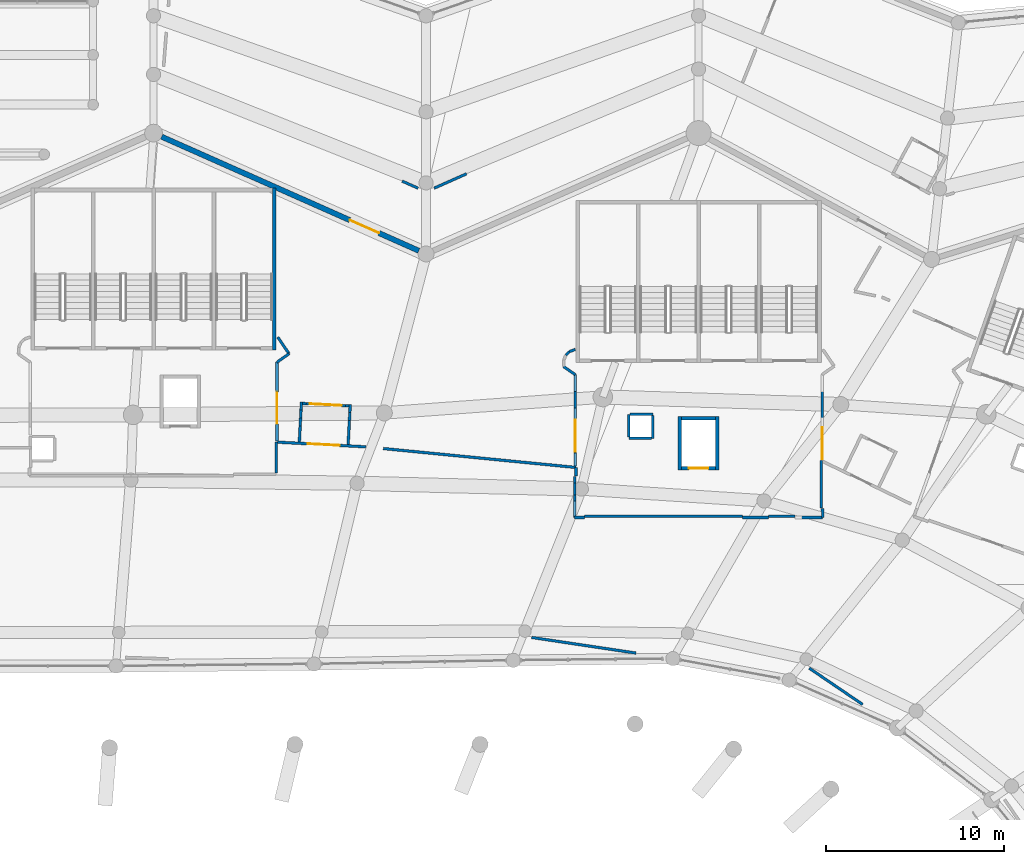
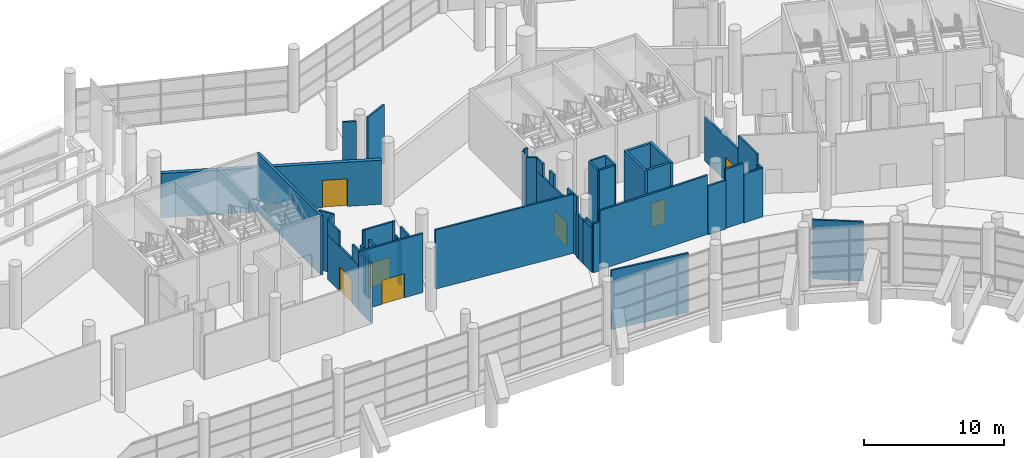
# One storey, part 196 of 271: 52 walls, 7 doors, 7 openings.
"""IFC4 building model written with IfcOpenShell, lengths in metres."""

from ifc_helpers import new_model, si_unit, direction, frame, frame_2d, origin, place, context, subcontext, project, spatial, rectangle, extrude, material, layer, layer_set, type_object, element, fill, save


model = new_model("IFC4")

# Units and contexts
model_context = context("Model", 3, precision=1e-05, world=origin(), true_north=direction((0.0, 1.0)))
body_context = subcontext(model_context, "Body", "Model", "MODEL_VIEW")
ifc_project = project(units=[si_unit("LENGTHUNIT", "METRE"), si_unit("AREAUNIT", "SQUARE_METRE"), si_unit("VOLUMEUNIT", "CUBIC_METRE"), si_unit("PLANEANGLEUNIT", "RADIAN"), si_unit("MASSUNIT", "GRAM", prefix="KILO")], contexts=[model_context])

# Site, building, storey
site_placement = place(None, origin())
site = spatial("IfcSite", under=ifc_project, at=site_placement, CompositionType="ELEMENT")
building_placement = place(site_placement, origin())
building = spatial("IfcBuilding", under=site, at=building_placement, Name="Meseta Stadium", CompositionType="ELEMENT")
storey_placement = place(building_placement, frame((0.0, 0.0, 6.5)))
storey = spatial("IfcBuildingStorey", under=building, at=storey_placement, Name="L01", CompositionType="ELEMENT", Elevation=6.5)

# Walls
ifc_material_1 = material(Name="Concrete C40/50", Category="concrete")
ifc_layer_1 = layer(ifc_material_1, 0.199951171875)
ifc_layer_set_1 = layer_set([ifc_layer_1], Name="Core shaft wall 200")
wall_type_1 = type_object("IfcWallType", Name="Core shaft wall 200", PredefinedType="SHEAR", material=ifc_layer_set_1)
for number, where, z_axis, x_axis, name in (
    (1, (39.38330078125, 89.451171875, 0.0), (0.0, 0.0, 1.0), (0.0, -1.0, 0.0), "Core 09 L01 lift shaft wall left"),
    (2, (37.283203125, 89.451171875, 0.0), (0.0, 0.0, 1.0), (0.0, -1.0, 0.0), "Core 09 L01 lift shaft wall right"),
):
    element("IfcWall", number, at=place(storey_placement, frame(where, z_axis=z_axis, x_axis=x_axis)), inside=storey, type_object=wall_type_1, Name=name, PredefinedType="SHEAR", context=body_context, shape_type="SweptSolid", body=[
        extrude(rectangle(XDim=3.0, YDim=0.199951171875, at=frame_2d((1.5, 0.0))), origin(), (0.0, 0.0, 1.0), 5.14990234375),
    ])
wall_1_placement = place(storey_placement, frame((39.283203125, 89.35107421875, 0.0), z_axis=(0.0, 0.0, 1.0), x_axis=(-1.0, 0.0, 0.0)))
element("IfcWall", 3, at=wall_1_placement, inside=storey, type_object=wall_type_1, Name="Core 09 L01 lift shaft back wall", PredefinedType="SHEAR", context=body_context, shape_type="SweptSolid", body=[
    extrude(rectangle(XDim=1.89990234375, YDim=0.199951171875, at=frame_2d((0.949951171875, 0.0))), origin(), (0.0, 0.0, 1.0), 5.14990234375),
])

# Wall, opening, door
wall_2_placement = place(storey_placement, frame((39.283203125, 86.551025390625, 0.0), z_axis=(0.0, 0.0, 1.0), x_axis=(-1.0, 0.0, 0.0)))
wall_2 = element("IfcWall", 4, at=wall_2_placement, inside=storey, type_object=wall_type_1, Name="Core 09 L01 lift shaft front wall", PredefinedType="SHEAR", context=body_context, shape_type="SweptSolid", body=[
    extrude(rectangle(XDim=1.89990234375, YDim=0.199951171875, at=frame_2d((0.949951171875, 0.0))), origin(), (0.0, 0.0, 1.0), 5.14990234375),
])
opening_1_placement = place(wall_2_placement, frame((0.39990234375, 0.0, 0.0)))
opening_1 = element("IfcOpeningElement", 5, at=opening_1_placement, cuts=wall_2, Name="Opening LD49", PredefinedType="OPENING", context=body_context, shape_type="SweptSolid", body=[
    extrude(rectangle(XDim=1.10009765625, YDim=2.10009765625, at=frame_2d((0.550048828125, 1.050048828125))), frame((0.0, 0.10986328125, 0.0), z_axis=(0.0, -1.0, 0.0), x_axis=(1.0, 0.0, 0.0)), (0.0, 0.0, 1.0), 0.219970703125),
])
ifc_material_2 = material(Name="Steel", Category="steel")
door_type_1 = type_object("IfcDoorType", Name="Lift landing door 1100x2100", OperationType="SLIDING_TO_LEFT", PredefinedType="DOOR", material=ifc_material_2)
door_1_placement = place(opening_1_placement, origin())
door_1 = element("IfcDoor", 6, at=door_1_placement, inside=storey, type_object=door_type_1, Name="Lift landing door LD49", OperationType="SLIDING_TO_LEFT", OverallHeight=2.10009765625, OverallWidth=1.10009765625, PredefinedType="DOOR", context=body_context, shape_type="SweptSolid", body=[
    extrude(rectangle(XDim=1.10009765625, YDim=2.10009765625, at=frame_2d((0.550048828125, 1.050048828125))), frame((0.0, 0.02490234375, 0.0), z_axis=(0.0, -1.0, 0.0), x_axis=(1.0, 0.0, 0.0)), (0.0, 0.0, 1.0), 0.050048828125),
])
fill(opening_1, door_1)

# Walls
wall_3_placement = place(storey_placement, frame((14.466796875, 102.300048828125, 0.0), z_axis=(0.0, 0.0, 1.0), x_axis=(0.0, -1.0, 0.0)))
element("IfcWall", 7, at=wall_3_placement, inside=storey, type_object=wall_type_1, Name="Core 10 L01 stair wall A-side", PredefinedType="SHEAR", context=body_context, shape_type="SweptSolid", body=[
    extrude(rectangle(XDim=9.10009765625, YDim=0.199951171875, at=frame_2d((4.550048828125, 0.0))), origin(), (0.0, 0.0, 1.0), 5.14990234375),
])
ifc_material_3 = material(Name="Masonry blockwork", Category="masonry")
ifc_layer_2 = layer(ifc_material_3, 0.14990234375)
ifc_layer_set_2 = layer_set([ifc_layer_2], Name="Partition 150")
wall_type_2 = type_object("IfcWallType", Name="Partition 150", PredefinedType="PARTITIONING", material=ifc_layer_set_2)
wall_4_placement = place(storey_placement, frame((47.5634765625, 73.25341796875, 0.0), z_axis=(0.0, 0.0, 1.0), x_axis=(-0.827001497717, 0.562199717871, 0.0)))
element("IfcWall", 8, at=wall_4_placement, inside=storey, type_object=wall_type_2, Name="Partition L01 L01-cell06-0-0", PredefinedType="PARTITIONING", context=body_context, shape_type="SweptSolid", body=[
    extrude(rectangle(XDim=3.632568359375, YDim=0.14990234375, at=frame_2d((1.81640625, 0.0))), origin(), (0.0, 0.0, 1.0), 5.14990234375),
])
wall_5_placement = place(storey_placement, frame((34.811279296875, 76.14453125, 0.0), z_axis=(0.0, 0.0, 1.0), x_axis=(-0.988914922208, 0.148483253719, 0.0)))
element("IfcWall", 9, at=wall_5_placement, inside=storey, type_object=wall_type_2, Name="Partition L01 L01-cell07-0-0", PredefinedType="PARTITIONING", context=body_context, shape_type="SweptSolid", body=[
    extrude(rectangle(XDim=5.935791015625, YDim=0.14990234375, at=frame_2d((2.9677734375, 0.0))), origin(), (0.0, 0.0, 1.0), 5.14990234375),
])
wall_6_placement = place(storey_placement, frame((31.92626953125, 83.85107421875, 0.0), z_axis=(0.0, 0.0, 1.0), x_axis=(1.0, 0.0, 0.0)))
element("IfcWall", 10, at=wall_6_placement, inside=storey, type_object=wall_type_2, Name="Partition L01 L01-cell07-0-0", PredefinedType="PARTITIONING", context=body_context, shape_type="SweptSolid", body=[
    extrude(rectangle(XDim=8.871337890625, YDim=0.14990234375, at=frame_2d((4.435546875, 0.0))), origin(), (0.0, 0.0, 1.0), 5.14990234375),
])
wall_7_placement = place(storey_placement, frame((42.276123046875, 83.85107421875, 0.0), z_axis=(0.0, 0.0, 1.0), x_axis=(1.0, 0.0, 0.0)))
element("IfcWall", 11, at=wall_7_placement, inside=storey, type_object=wall_type_2, Name="Partition L01 L01-cell07-0-0", PredefinedType="PARTITIONING", context=body_context, shape_type="SweptSolid", body=[
    extrude(rectangle(XDim=1.478759765625, YDim=0.14990234375, at=frame_2d((0.7392578125, 0.0))), origin(), (0.0, 0.0, 1.0), 5.14990234375),
])
wall_8_placement = place(storey_placement, frame((45.2333984375, 84.29638671875, 0.0), z_axis=(0.0, 0.0, 1.0), x_axis=(0.0, 1.0, 0.0)))
element("IfcWall", 12, at=wall_8_placement, inside=storey, type_object=wall_type_2, Name="Partition L01 L01-cell07-0-0", PredefinedType="PARTITIONING", context=body_context, shape_type="SweptSolid", body=[
    extrude(rectangle(XDim=2.671142578125, YDim=0.14990234375, at=frame_2d((1.33544921875, 0.0))), origin(), (0.0, 0.0, 1.0), 5.14990234375),
])
wall_9_placement = place(storey_placement, frame((14.566650390625, 86.27490234375, 0.0), z_axis=(0.0, 0.0, 1.0), x_axis=(0.0, 1.0, 0.0)))
element("IfcWall", 13, at=wall_9_placement, inside=storey, type_object=wall_type_2, Name="Partition L01 L01-cell08-0-0", PredefinedType="PARTITIONING", context=body_context, shape_type="SweptSolid", body=[
    extrude(rectangle(XDim=1.740966796875, YDim=0.14990234375, at=frame_2d((0.87060546875, 0.0))), origin(), (0.0, 0.0, 1.0), 5.14990234375),
])

# Wall, opening, door
wall_10_placement = place(storey_placement, frame((14.6416015625, 88.01171875, 0.0), z_axis=(0.0, 0.0, 1.0), x_axis=(0.998613893233, -0.052633565738, 0.0)))
wall_10 = element("IfcWall", 14, at=wall_10_placement, inside=storey, type_object=wall_type_2, Name="Partition L01 L01-cell08-0-0", PredefinedType="PARTITIONING", context=body_context, shape_type="SweptSolid", body=[
    extrude(rectangle(XDim=4.972412109375, YDim=0.14990234375, at=frame_2d((2.486328125, 0.0))), origin(), (0.0, 0.0, 1.0), 5.14990234375),
])
opening_2_placement = place(wall_10_placement, frame((1.699951171875, 0.0, 0.0)))
opening_2 = element("IfcOpeningElement", 15, at=opening_2_placement, cuts=wall_10, Name="Opening D650", PredefinedType="OPENING", context=body_context, shape_type="SweptSolid", body=[
    extrude(rectangle(XDim=1.800048828125, YDim=2.10009765625, at=frame_2d((0.89990234375, 1.050048828125))), frame((0.0, 0.0849609375, 0.0), z_axis=(0.0, -1.0, 0.0), x_axis=(1.0, 0.0, 0.0)), (0.0, 0.0, 1.0), 0.169921875),
])
ifc_material_4 = material(Name="Steel", Category="steel")
door_type_2 = type_object("IfcDoorType", Name="Fire double door 1800x2100 EI2 60", OperationType="DOUBLE_DOOR_SINGLE_SWING", PredefinedType="DOOR", material=ifc_material_4)
door_2_placement = place(opening_2_placement, origin())
door_2 = element("IfcDoor", 16, at=door_2_placement, inside=storey, type_object=door_type_2, Name="Door D650", OperationType="DOUBLE_DOOR_SINGLE_SWING", OverallHeight=2.10009765625, OverallWidth=1.800048828125, PredefinedType="DOOR", context=body_context, shape_type="SweptSolid", body=[
    extrude(rectangle(XDim=1.800048828125, YDim=2.10009765625, at=frame_2d((0.89990234375, 1.050048828125))), frame((0.0, 0.02490234375, 0.0), z_axis=(0.0, -1.0, 0.0), x_axis=(1.0, 0.0, 0.0)), (0.0, 0.0, 1.0), 0.050048828125),
])
fill(opening_2, door_2)

# Walls
wall_11_placement = place(storey_placement, frame((20.5927734375, 87.6533203125, 0.0), z_axis=(0.0, 0.0, 1.0), x_axis=(0.995211610703, -0.097743797362, 0.0)))
element("IfcWall", 17, at=wall_11_placement, inside=storey, type_object=wall_type_2, Name="Partition L01 L01-cell08-0-0", PredefinedType="PARTITIONING", context=body_context, shape_type="SweptSolid", body=[
    extrude(rectangle(XDim=10.892822265625, YDim=0.14990234375, at=frame_2d((5.4462890625, 0.0))), origin(), (0.0, 0.0, 1.0), 5.14990234375),
])
wall_12_placement = place(storey_placement, frame((31.433349609375, 86.588623046875, 0.0), z_axis=(0.0, 0.0, 1.0), x_axis=(0.0, -1.0, 0.0)))
element("IfcWall", 18, at=wall_12_placement, inside=storey, type_object=wall_type_2, Name="Partition L01 L01-cell08-0-0", PredefinedType="PARTITIONING", context=body_context, shape_type="SweptSolid", body=[
    extrude(rectangle(XDim=0.48974609375, YDim=0.14990234375, at=frame_2d((0.244873046875, 0.0))), origin(), (0.0, 0.0, 1.0), 5.14990234375),
])
wall_13_placement = place(storey_placement, frame((25.275634765625, 103.10986328125, 0.0), z_axis=(0.0, 0.0, 1.0), x_axis=(-0.914139836341, -0.405399012844, 0.0)))
element("IfcWall", 19, at=wall_13_placement, inside=storey, type_object=wall_type_2, Name="Partition L01 L01-ring08-0", PredefinedType="PARTITIONING", context=body_context, shape_type="SweptSolid", body=[
    extrude(rectangle(XDim=1.991455078125, YDim=0.14990234375, at=frame_2d((0.99560546875, 0.0))), origin(), (0.0, 0.0, 1.0), 5.050048828125),
])
wall_14_placement = place(storey_placement, frame((22.551513671875, 102.299560546875, 0.0), z_axis=(0.0, 0.0, 1.0), x_axis=(-0.914119005748, 0.405445980781, 0.0)))
element("IfcWall", 20, at=wall_14_placement, inside=storey, type_object=wall_type_2, Name="Partition L01 L01-ring08-0", PredefinedType="PARTITIONING", context=body_context, shape_type="SweptSolid", body=[
    extrude(rectangle(XDim=0.9814453125, YDim=0.14990234375, at=frame_2d((0.49072265625, 0.0))), origin(), (0.0, 0.0, 1.0), 5.050048828125),
])
wall_15_placement = place(storey_placement, frame((35.75830078125, 89.576171875, 0.0), z_axis=(0.0, 0.0, 1.0), x_axis=(-1.0, 0.0, 0.0)))
element("IfcWall", 21, at=wall_15_placement, inside=storey, type_object=wall_type_2, Name="Pressurisation shaft wall L01 core 09", PredefinedType="PARTITIONING", context=body_context, shape_type="SweptSolid", body=[
    extrude(rectangle(XDim=1.27490234375, YDim=0.14990234375, at=frame_2d((0.637451171875, 0.0))), origin(), (0.0, 0.0, 1.0), 5.14990234375),
])
for number, where, z_axis, x_axis, name in (
    (22, (34.408203125, 89.576171875, 0.0), (0.0, 0.0, 1.0), (0.0, -1.0, 0.0), "Pressurisation shaft wall L01 core 09"),
    (23, (34.408203125, 88.22607421875, 0.0), (0.0, 0.0, 1.0), (1.0, 0.0, 0.0), "Pressurisation shaft wall L01 core 09"),
    (24, (35.75830078125, 88.22607421875, 0.0), (0.0, 0.0, 1.0), (0.0, 1.0, 0.0), "Pressurisation shaft wall L01 core 09"),
):
    element("IfcWall", number, at=place(storey_placement, frame(where, z_axis=z_axis, x_axis=x_axis)), inside=storey, type_object=wall_type_2, Name=name, PredefinedType="PARTITIONING", context=body_context, shape_type="SweptSolid", body=[
        extrude(rectangle(XDim=1.275146484375, YDim=0.14990234375, at=frame_2d((0.6376953125, 0.0))), origin(), (0.0, 0.0, 1.0), 5.14990234375),
    ])
wall_16_placement = place(storey_placement, frame((31.394775390625, 93.228759765625, 0.0), z_axis=(0.0, 0.0, 1.0), x_axis=(-0.937674325327, -0.347515265308, 0.0)))
element("IfcWall", 25, at=wall_16_placement, inside=storey, type_object=wall_type_2, Name="Stair vestibule wall L01 core 09", PredefinedType="PARTITIONING", context=body_context, shape_type="SweptSolid", body=[
    extrude(rectangle(XDim=0.356201171875, YDim=0.14990234375, at=frame_2d((0.17822265625, 0.0))), origin(), (0.0, 0.0, 1.0), 5.14990234375),
])
wall_17_placement = place(storey_placement, frame((31.060791015625, 93.10498046875, 0.0), z_axis=(0.0, 0.0, 1.0), x_axis=(-0.707534941396, -0.706678361564, 0.0)))
element("IfcWall", 26, at=wall_17_placement, inside=storey, type_object=wall_type_2, Name="Stair vestibule wall L01 core 09", PredefinedType="PARTITIONING", context=body_context, shape_type="SweptSolid", body=[
    extrude(rectangle(XDim=0.284912109375, YDim=0.14990234375, at=frame_2d((0.142578125, 0.0))), origin(), (0.0, 0.0, 1.0), 5.14990234375),
])
wall_18_placement = place(storey_placement, frame((30.73681640625, 92.267822265625, 0.0), z_axis=(0.0, 0.0, 1.0), x_axis=(0.817731616096, -0.57559969079, 0.0)))
element("IfcWall", 27, at=wall_18_placement, inside=storey, type_object=wall_type_2, Name="Stair vestibule wall L01 core 09", PredefinedType="PARTITIONING", context=body_context, shape_type="SweptSolid", body=[
    extrude(rectangle(XDim=0.796630859375, YDim=0.14990234375, at=frame_2d((0.3984375, 0.0))), origin(), (0.0, 0.0, 1.0), 5.14990234375),
])

# Wall, opening, door
wall_19_placement = place(storey_placement, frame((31.38818359375, 91.809326171875, 0.0), z_axis=(0.0, 0.0, 1.0), x_axis=(0.0, -1.0, 0.0)))
wall_19 = element("IfcWall", 28, at=wall_19_placement, inside=storey, type_object=wall_type_2, Name="Stair vestibule wall L01 core 09", PredefinedType="PARTITIONING", context=body_context, shape_type="SweptSolid", body=[
    extrude(rectangle(XDim=5.132568359375, YDim=0.14990234375, at=frame_2d((2.56640625, 0.0))), origin(), (0.0, 0.0, 1.0), 4.050048828125),
])
opening_3_placement = place(wall_19_placement, frame((2.550048828125, 0.0, 0.0)))
opening_3 = element("IfcOpeningElement", 29, at=opening_3_placement, cuts=wall_19, Name="Opening D767", PredefinedType="OPENING", context=body_context, shape_type="SweptSolid", body=[
    extrude(rectangle(XDim=1.800048828125, YDim=2.10009765625, at=frame_2d((0.89990234375, 1.050048828125))), frame((0.0, 0.0849609375, 0.0), z_axis=(0.0, -1.0, 0.0), x_axis=(1.0, 0.0, 0.0)), (0.0, 0.0, 1.0), 0.169921875),
])
door_3_placement = place(opening_3_placement, origin())
door_3 = element("IfcDoor", 30, at=door_3_placement, inside=storey, type_object=door_type_2, Name="Stair vestibule door L01 core 09", OperationType="DOUBLE_DOOR_SINGLE_SWING", OverallHeight=2.10009765625, OverallWidth=1.800048828125, PredefinedType="DOOR", context=body_context, shape_type="SweptSolid", body=[
    extrude(rectangle(XDim=1.800048828125, YDim=2.10009765625, at=frame_2d((0.89990234375, 1.050048828125))), frame((0.0, 0.02490234375, 0.0), z_axis=(0.0, -1.0, 0.0), x_axis=(1.0, 0.0, 0.0)), (0.0, 0.0, 1.0), 0.050048828125),
])
fill(opening_3, door_3)

# Walls
wall_20_placement = place(storey_placement, frame((31.38818359375, 91.809326171875, 4.050048828125), z_axis=(0.0, 0.0, 1.0), x_axis=(0.0, -1.0, 0.0)))
element("IfcWall", 31, at=wall_20_placement, inside=storey, type_object=wall_type_2, Name="Stair vestibule wall L01 core 09", PredefinedType="PARTITIONING", context=body_context, shape_type="SweptSolid", body=[
    extrude(rectangle(XDim=0.934814453125, YDim=0.14990234375, at=frame_2d((0.46728515625, 0.0))), origin(), (0.0, 0.0, 1.0), 1.099853515625),
])
wall_21_placement = place(storey_placement, frame((31.38818359375, 87.4091796875, 4.050048828125), z_axis=(0.0, 0.0, 1.0), x_axis=(0.0, -1.0, 0.0)))
element("IfcWall", 32, at=wall_21_placement, inside=storey, type_object=wall_type_2, Name="Stair vestibule wall L01 core 09", PredefinedType="PARTITIONING", context=body_context, shape_type="SweptSolid", body=[
    extrude(rectangle(XDim=0.732421875, YDim=0.14990234375, at=frame_2d((0.3662109375, 0.0))), origin(), (0.0, 0.0, 1.0), 1.099853515625),
])
wall_22_placement = place(storey_placement, frame((31.3583984375, 86.0888671875, 0.0), z_axis=(0.0, 0.0, 1.0), x_axis=(0.0, -1.0, 0.0)))
element("IfcWall", 33, at=wall_22_placement, inside=storey, type_object=wall_type_2, Name="Stair vestibule wall L01 core 09", PredefinedType="PARTITIONING", context=body_context, shape_type="SweptSolid", body=[
    extrude(rectangle(XDim=0.379638671875, YDim=0.14990234375, at=frame_2d((0.18994140625, 0.0))), origin(), (0.0, 0.0, 1.0), 3.85009765625),
])
wall_23_placement = place(storey_placement, frame((31.3583984375, 85.044189453125, 0.0), z_axis=(0.0, 0.0, 1.0), x_axis=(0.0, -1.0, 0.0)))
element("IfcWall", 34, at=wall_23_placement, inside=storey, type_object=wall_type_2, Name="Stair vestibule wall L01 core 09", PredefinedType="PARTITIONING", context=body_context, shape_type="SweptSolid", body=[
    extrude(rectangle(XDim=1.26806640625, YDim=0.14990234375, at=frame_2d((0.634033203125, 0.0))), origin(), (0.0, 0.0, 1.0), 3.85009765625),
])
wall_24_placement = place(storey_placement, frame((31.3583984375, 84.701171875, 3.85009765625), z_axis=(0.0, 0.0, 1.0), x_axis=(0.0, -1.0, 0.0)))
element("IfcWall", 35, at=wall_24_placement, inside=storey, type_object=wall_type_2, Name="Stair vestibule wall L01 core 09", PredefinedType="PARTITIONING", context=body_context, shape_type="SweptSolid", body=[
    extrude(rectangle(XDim=0.925048828125, YDim=0.14990234375, at=frame_2d((0.46240234375, 0.0))), origin(), (0.0, 0.0, 1.0), 0.39990234375),
])
wall_25_placement = place(storey_placement, frame((31.3583984375, 83.776123046875, 0.0), z_axis=(0.0, 0.0, 1.0), x_axis=(1.0, 0.0, 0.0)))
element("IfcWall", 36, at=wall_25_placement, inside=storey, type_object=wall_type_2, Name="Stair vestibule wall L01 core 09", PredefinedType="PARTITIONING", context=body_context, shape_type="SweptSolid", body=[
    extrude(rectangle(XDim=0.557861328125, YDim=0.14990234375, at=frame_2d((0.27880859375, 0.0))), origin(), (0.0, 0.0, 1.0), 4.25),
])
wall_26_placement = place(storey_placement, frame((40.8076171875, 83.776123046875, 0.0), z_axis=(0.0, 0.0, 1.0), x_axis=(1.0, 0.0, 0.0)))
element("IfcWall", 37, at=wall_26_placement, inside=storey, type_object=wall_type_2, Name="Stair vestibule wall L01 core 09", PredefinedType="PARTITIONING", context=body_context, shape_type="SweptSolid", body=[
    extrude(rectangle(XDim=1.45849609375, YDim=0.14990234375, at=frame_2d((0.729248046875, 0.0))), origin(), (0.0, 0.0, 1.0), 4.25),
])
wall_27_placement = place(storey_placement, frame((43.764892578125, 83.776123046875, 0.0), z_axis=(0.0, 0.0, 1.0), x_axis=(1.0, 0.0, 0.0)))
element("IfcWall", 38, at=wall_27_placement, inside=storey, type_object=wall_type_2, Name="Stair vestibule wall L01 core 09", PredefinedType="PARTITIONING", context=body_context, shape_type="SweptSolid", body=[
    extrude(rectangle(XDim=1.543701171875, YDim=0.14990234375, at=frame_2d((0.77197265625, 0.0))), origin(), (0.0, 0.0, 1.0), 4.25),
])
wall_28_placement = place(storey_placement, frame((45.30859375, 83.776123046875, 0.0), z_axis=(0.0, 0.0, 1.0), x_axis=(-0.003347661777, 0.999994396565, 0.0)))
element("IfcWall", 39, at=wall_28_placement, inside=storey, type_object=wall_type_2, Name="Stair vestibule wall L01 core 09", PredefinedType="PARTITIONING", context=body_context, shape_type="SweptSolid", body=[
    extrude(rectangle(XDim=0.510498046875, YDim=0.14990234375, at=frame_2d((0.25537109375, 0.0))), origin(), (0.0, 0.0, 1.0), 4.25),
])

# Wall, opening, door
wall_29_placement = place(storey_placement, frame((45.297607421875, 86.999755859375, 0.0), z_axis=(0.0, 0.0, 1.0), x_axis=(-0.003451580881, 0.999994043277, 0.0)))
wall_29 = element("IfcWall", 40, at=wall_29_placement, inside=storey, type_object=wall_type_2, Name="Stair vestibule wall L01 core 09", PredefinedType="PARTITIONING", context=body_context, shape_type="SweptSolid", body=[
    extrude(rectangle(XDim=4.809814453125, YDim=0.14990234375, at=frame_2d((2.40478515625, 0.0))), origin(), (0.0, 0.0, 1.0), 3.85009765625),
])
opening_4_placement = place(wall_29_placement, frame((0.050048828125, 0.0, 0.0)))
opening_4 = element("IfcOpeningElement", 41, at=opening_4_placement, cuts=wall_29, Name="Opening D768", PredefinedType="OPENING", context=body_context, shape_type="SweptSolid", body=[
    extrude(rectangle(XDim=1.800048828125, YDim=2.10009765625, at=frame_2d((0.89990234375, 1.050048828125))), frame((0.0, 0.0849609375, 0.0), z_axis=(0.0, -1.0, 0.0), x_axis=(1.0, 0.0, 0.0)), (0.0, 0.0, 1.0), 0.169921875),
])
door_4_placement = place(opening_4_placement, origin())
door_4 = element("IfcDoor", 42, at=door_4_placement, inside=storey, type_object=door_type_2, Name="Stair vestibule door L01 core 09", OperationType="DOUBLE_DOOR_SINGLE_SWING", OverallHeight=2.10009765625, OverallWidth=1.800048828125, PredefinedType="DOOR", context=body_context, shape_type="SweptSolid", body=[
    extrude(rectangle(XDim=1.800048828125, YDim=2.10009765625, at=frame_2d((0.89990234375, 1.050048828125))), frame((0.0, 0.02490234375, 0.0), z_axis=(0.0, -1.0, 0.0), x_axis=(1.0, 0.0, 0.0)), (0.0, 0.0, 1.0), 0.050048828125),
])
fill(opening_4, door_4)

# Wall
wall_30_placement = place(storey_placement, frame((31.3583984375, 85.709228515625, 0.0), z_axis=(0.0, 0.0, 1.0), x_axis=(0.0, -1.0, 0.0)))
element("IfcWall", 43, at=wall_30_placement, inside=storey, type_object=wall_type_2, Name="Stair vestibule wall L01 core 09", PredefinedType="PARTITIONING", context=body_context, shape_type="SweptSolid", body=[
    extrude(rectangle(XDim=0.6650390625, YDim=0.14990234375, at=frame_2d((0.33251953125, 0.0))), origin(), (0.0, 0.0, 1.0), 3.85009765625),
])

# Wall, opening, door
wall_31_placement = place(storey_placement, frame((14.61181640625, 88.087646484375, 0.0), z_axis=(0.0, 0.0, 1.0), x_axis=(0.0, 1.0, 0.0)))
wall_31 = element("IfcWall", 44, at=wall_31_placement, inside=storey, type_object=wall_type_2, Name="Stair vestibule wall L01 core 10", PredefinedType="PARTITIONING", context=body_context, shape_type="SweptSolid", body=[
    extrude(rectangle(XDim=4.421630859375, YDim=0.14990234375, at=frame_2d((2.2109375, 0.0))), origin(), (0.0, 0.0, 1.0), 3.85009765625),
])
opening_5_placement = place(wall_31_placement, frame((0.949951171875, 0.0, 0.0)))
opening_5 = element("IfcOpeningElement", 45, at=opening_5_placement, cuts=wall_31, Name="Opening D769", PredefinedType="OPENING", context=body_context, shape_type="SweptSolid", body=[
    extrude(rectangle(XDim=1.800048828125, YDim=2.10009765625, at=frame_2d((0.89990234375, 1.050048828125))), frame((0.0, 0.0849609375, 0.0), z_axis=(0.0, -1.0, 0.0), x_axis=(1.0, 0.0, 0.0)), (0.0, 0.0, 1.0), 0.169921875),
])
door_5_placement = place(opening_5_placement, origin())
door_5 = element("IfcDoor", 46, at=door_5_placement, inside=storey, type_object=door_type_2, Name="Stair vestibule door L01 core 10", OperationType="DOUBLE_DOOR_SINGLE_SWING", OverallHeight=2.10009765625, OverallWidth=1.800048828125, PredefinedType="DOOR", context=body_context, shape_type="SweptSolid", body=[
    extrude(rectangle(XDim=1.800048828125, YDim=2.10009765625, at=frame_2d((0.89990234375, 1.050048828125))), frame((0.0, 0.02490234375, 0.0), z_axis=(0.0, -1.0, 0.0), x_axis=(1.0, 0.0, 0.0)), (0.0, 0.0, 1.0), 0.050048828125),
])
fill(opening_5, door_5)

# Walls
wall_32_placement = place(storey_placement, frame((14.61181640625, 88.087646484375, 3.85009765625), z_axis=(0.0, 0.0, 1.0), x_axis=(0.0, 1.0, 0.0)))
element("IfcWall", 47, at=wall_32_placement, inside=storey, type_object=wall_type_2, Name="Stair vestibule wall L01 core 10", PredefinedType="PARTITIONING", context=body_context, shape_type="SweptSolid", body=[
    extrude(rectangle(XDim=0.9345703125, YDim=0.14990234375, at=frame_2d((0.46728515625, 0.0))), origin(), (0.0, 0.0, 1.0), 1.2998046875),
])
wall_33_placement = place(storey_placement, frame((14.61181640625, 90.8876953125, 3.85009765625), z_axis=(0.0, 0.0, 1.0), x_axis=(0.0, 1.0, 0.0)))
element("IfcWall", 48, at=wall_33_placement, inside=storey, type_object=wall_type_2, Name="Stair vestibule wall L01 core 10", PredefinedType="PARTITIONING", context=body_context, shape_type="SweptSolid", body=[
    extrude(rectangle(XDim=1.62158203125, YDim=0.14990234375, at=frame_2d((0.810791015625, 0.0))), origin(), (0.0, 0.0, 1.0), 1.2998046875),
])
wall_34_placement = place(storey_placement, frame((14.61181640625, 92.50927734375, 0.0), z_axis=(0.0, 0.0, 1.0), x_axis=(0.81774999294, 0.575573582652, 0.0)))
element("IfcWall", 49, at=wall_34_placement, inside=storey, type_object=wall_type_2, Name="Stair vestibule wall L01 core 10", PredefinedType="PARTITIONING", context=body_context, shape_type="SweptSolid", body=[
    extrude(rectangle(XDim=0.82958984375, YDim=0.14990234375, at=frame_2d((0.414794921875, 0.0))), origin(), (0.0, 0.0, 1.0), 5.14990234375),
])
wall_35_placement = place(storey_placement, frame((15.290283203125, 92.98681640625, 0.0), z_axis=(0.0, 0.0, 1.0), x_axis=(-0.562120553728, 0.827055308354, 0.0)))
element("IfcWall", 50, at=wall_35_placement, inside=storey, type_object=wall_type_2, Name="Stair vestibule wall L01 core 10", PredefinedType="PARTITIONING", context=body_context, shape_type="SweptSolid", body=[
    extrude(rectangle(XDim=1.1279296875, YDim=0.14990234375, at=frame_2d((0.56396484375, 0.0))), origin(), (0.0, 0.0, 1.0), 5.14990234375),
])
wall_36_placement = place(storey_placement, frame((15.868896484375, 88.022216796875, 0.0), z_axis=(0.0, 0.0, 1.0), x_axis=(0.052630027564, 0.998614079712, 0.0)))
element("IfcWall", 51, at=wall_36_placement, inside=storey, type_object=wall_type_2, Name="Partition L01 L01-cell08-0-0 vestibule", PredefinedType="PARTITIONING", context=body_context, shape_type="SweptSolid", body=[
    extrude(rectangle(XDim=0.89990234375, YDim=0.14990234375, at=frame_2d((0.449951171875, 0.0))), origin(), (0.0, 0.0, 1.0), 5.14990234375),
])
wall_37_placement = place(storey_placement, frame((15.916259765625, 88.9208984375, 0.0), z_axis=(0.0, 0.0, 1.0), x_axis=(0.052615773272, 0.998614830855, 0.0)))
element("IfcWall", 52, at=wall_37_placement, inside=storey, type_object=wall_type_2, Name="Partition L01 L01-cell08-0-0 vestibule", PredefinedType="PARTITIONING", context=body_context, shape_type="SweptSolid", body=[
    extrude(rectangle(XDim=0.4501953125, YDim=0.14990234375, at=frame_2d((0.22509765625, 0.0))), origin(), (0.0, 0.0, 1.0), 3.85009765625),
])
wall_38_placement = place(storey_placement, frame((15.93994140625, 89.370361328125, 0.0), z_axis=(0.0, 0.0, 1.0), x_axis=(0.052644289572, 0.998613327958, 0.0)))
element("IfcWall", 53, at=wall_38_placement, inside=storey, type_object=wall_type_2, Name="Partition L01 L01-cell08-0-0 vestibule", PredefinedType="PARTITIONING", context=body_context, shape_type="SweptSolid", body=[
    extrude(rectangle(XDim=0.449951171875, YDim=0.14990234375, at=frame_2d((0.22509765625, 0.0))), origin(), (0.0, 0.0, 1.0), 3.85009765625),
])
wall_39_placement = place(storey_placement, frame((15.963623046875, 89.819580078125, 0.0), z_axis=(0.0, 0.0, 1.0), x_axis=(0.052615773272, 0.998614830855, 0.0)))
element("IfcWall", 54, at=wall_39_placement, inside=storey, type_object=wall_type_2, Name="Partition L01 L01-cell08-0-0 vestibule", PredefinedType="PARTITIONING", context=body_context, shape_type="SweptSolid", body=[
    extrude(rectangle(XDim=0.4501953125, YDim=0.14990234375, at=frame_2d((0.22509765625, 0.0))), origin(), (0.0, 0.0, 1.0), 3.85009765625),
])
wall_40_placement = place(storey_placement, frame((18.614990234375, 87.87744140625, 0.0), z_axis=(0.0, 0.0, 1.0), x_axis=(0.05280561474, 0.998604810249, 0.0)))
element("IfcWall", 55, at=wall_40_placement, inside=storey, type_object=wall_type_2, Name="Partition L01 L01-cell08-0-0 vestibule", PredefinedType="PARTITIONING", context=body_context, shape_type="SweptSolid", body=[
    extrude(rectangle(XDim=1.35009765625, YDim=0.14990234375, at=frame_2d((0.675048828125, 0.0))), origin(), (0.0, 0.0, 1.0), 5.14990234375),
])
wall_41_placement = place(storey_placement, frame((18.686279296875, 89.2255859375, 0.0), z_axis=(0.0, 0.0, 1.0), x_axis=(0.052644289572, 0.998613327958, 0.0)))
element("IfcWall", 56, at=wall_41_placement, inside=storey, type_object=wall_type_2, Name="Partition L01 L01-cell08-0-0 vestibule", PredefinedType="PARTITIONING", context=body_context, shape_type="SweptSolid", body=[
    extrude(rectangle(XDim=0.449951171875, YDim=0.14990234375, at=frame_2d((0.22509765625, 0.0))), origin(), (0.0, 0.0, 1.0), 3.85009765625),
])
wall_42_placement = place(storey_placement, frame((18.7099609375, 89.6748046875, 0.0), z_axis=(0.0, 0.0, 1.0), x_axis=(0.052615773272, 0.998614830855, 0.0)))
element("IfcWall", 57, at=wall_42_placement, inside=storey, type_object=wall_type_2, Name="Partition L01 L01-cell08-0-0 vestibule", PredefinedType="PARTITIONING", context=body_context, shape_type="SweptSolid", body=[
    extrude(rectangle(XDim=0.4501953125, YDim=0.14990234375, at=frame_2d((0.22509765625, 0.0))), origin(), (0.0, 0.0, 1.0), 3.85009765625),
])
wall_43_placement = place(storey_placement, frame((16.058349609375, 90.190185546875, 0.0), z_axis=(0.0, 0.0, 1.0), x_axis=(0.998621199675, -0.05249475744, 0.0)))
element("IfcWall", 58, at=wall_43_placement, inside=storey, type_object=wall_type_2, Name="Partition L01 L01-cell08-0-0 vestibule", PredefinedType="PARTITIONING", context=body_context, shape_type="SweptSolid", body=[
    extrude(rectangle(XDim=0.199951171875, YDim=0.14990234375, at=frame_2d((0.10009765625, 0.0))), origin(), (0.0, 0.0, 1.0), 5.14990234375),
])

# Wall, opening, door
wall_44_placement = place(storey_placement, frame((16.258056640625, 90.1796875, 0.0), z_axis=(0.0, 0.0, 1.0), x_axis=(0.998615682679, -0.052599603688, 0.0)))
wall_44 = element("IfcWall", 59, at=wall_44_placement, inside=storey, type_object=wall_type_2, Name="Partition L01 L01-cell08-0-0 vestibule", PredefinedType="PARTITIONING", context=body_context, shape_type="SweptSolid", body=[
    extrude(rectangle(XDim=2.199951171875, YDim=0.14990234375, at=frame_2d((1.10009765625, 0.0))), origin(), (0.0, 0.0, 1.0), 5.14990234375),
])
opening_6_placement = place(wall_44_placement, frame((0.199951171875, 0.0, 0.0)))
opening_6 = element("IfcOpeningElement", 60, at=opening_6_placement, cuts=wall_44, Name="Opening D895", PredefinedType="OPENING", context=body_context, shape_type="SweptSolid", body=[
    extrude(rectangle(XDim=1.800048828125, YDim=2.10009765625, at=frame_2d((0.89990234375, 1.050048828125))), frame((0.0, 0.0849609375, 0.0), z_axis=(0.0, -1.0, 0.0), x_axis=(1.0, 0.0, 0.0)), (0.0, 0.0, 1.0), 0.169921875),
])
door_6_placement = place(opening_6_placement, origin())
door_6 = element("IfcDoor", 61, at=door_6_placement, inside=storey, type_object=door_type_2, Name="Vestibule door L01 L01-cell08-0-0", OperationType="DOUBLE_DOOR_SINGLE_SWING", OverallHeight=2.10009765625, OverallWidth=1.800048828125, PredefinedType="DOOR", context=body_context, shape_type="SweptSolid", body=[
    extrude(rectangle(XDim=1.800048828125, YDim=2.10009765625, at=frame_2d((0.89990234375, 1.050048828125))), frame((0.0, 0.02490234375, 0.0), z_axis=(0.0, -1.0, 0.0), x_axis=(1.0, 0.0, 0.0)), (0.0, 0.0, 1.0), 0.050048828125),
])
fill(opening_6, door_6)

# Walls
wall_45_placement = place(storey_placement, frame((18.455078125, 90.06396484375, 0.0), z_axis=(0.0, 0.0, 1.0), x_axis=(0.998556464137, -0.053712083646, 0.0)))
element("IfcWall", 62, at=wall_45_placement, inside=storey, type_object=wall_type_2, Name="Partition L01 L01-cell08-0-0 vestibule", PredefinedType="PARTITIONING", context=body_context, shape_type="SweptSolid", body=[
    extrude(rectangle(XDim=0.199951171875, YDim=0.14990234375, at=frame_2d((0.10009765625, 0.0))), origin(), (0.0, 0.0, 1.0), 5.14990234375),
])
wall_46_placement = place(storey_placement, frame((31.38818359375, 89.939697265625, 4.050048828125), z_axis=(0.0, 0.0, 1.0), x_axis=(0.0, -1.0, 0.0)))
element("IfcWall", 63, at=wall_46_placement, inside=storey, type_object=wall_type_2, Name="Stair vestibule wall L01 core 09", PredefinedType="PARTITIONING", context=body_context, shape_type="SweptSolid", body=[
    extrude(rectangle(XDim=0.63037109375, YDim=0.14990234375, at=frame_2d((0.315185546875, 0.0))), origin(), (0.0, 0.0, 1.0), 1.099853515625),
])

# Wall, opening, door
ifc_material_5 = material(Name="White precast concrete C40/50", Category="concrete")
ifc_layer_3 = layer(ifc_material_5, 0.300048828125)
ifc_layer_set_3 = layer_set([ifc_layer_3], Name="Pleated panel wall 300 concourse")
wall_type_3 = type_object("IfcWallType", Name="Pleated panel wall 300 concourse", PredefinedType="SOLIDWALL", material=ifc_layer_set_3)
wall_47_placement = place(storey_placement, frame((8.123291015625, 105.197509765625, 0.0), z_axis=(0.0, 0.0, 1.0), x_axis=(0.914138897099, -0.405401130748, 0.0)))
wall_47 = element("IfcWall", 64, at=wall_47_placement, inside=storey, type_object=wall_type_3, Name="Pleated facade panel L01 F17", PredefinedType="SOLIDWALL", context=body_context, shape_type="SweptSolid", body=[
    extrude(rectangle(XDim=15.824462890625, YDim=0.300048828125, at=frame_2d((7.912109375, 0.0))), origin(), (0.0, 0.0, 1.0), 3.85009765625),
])
opening_7_placement = place(wall_47_placement, frame((11.573974609375, 0.0, 0.0)))
opening_7 = element("IfcOpeningElement", 65, at=opening_7_placement, cuts=wall_47, Name="Opening D986", PredefinedType="OPENING", context=body_context, shape_type="SweptSolid", body=[
    extrude(rectangle(XDim=1.800048828125, YDim=2.39990234375, at=frame_2d((0.89990234375, 1.199951171875))), frame((0.0, 0.159912109375, 0.0), z_axis=(0.0, -1.0, 0.0), x_axis=(1.0, 0.0, 0.0)), (0.0, 0.0, 1.0), 0.320068359375),
])
ifc_material_6 = material(Name="Steel", Category="steel")
door_type_3 = type_object("IfcDoorType", Name="Concourse double door 1800x2400", OperationType="DOUBLE_DOOR_SINGLE_SWING", PredefinedType="DOOR", material=ifc_material_6)
door_7_placement = place(opening_7_placement, origin())
door_7 = element("IfcDoor", 66, at=door_7_placement, inside=storey, type_object=door_type_3, Name="Concourse door", OperationType="DOUBLE_DOOR_SINGLE_SWING", OverallHeight=2.39990234375, OverallWidth=1.800048828125, PredefinedType="DOOR", context=body_context, shape_type="SweptSolid", body=[
    extrude(rectangle(XDim=1.800048828125, YDim=2.39990234375, at=frame_2d((0.89990234375, 1.199951171875))), frame((0.0, 0.02490234375, 0.0), z_axis=(0.0, -1.0, 0.0), x_axis=(1.0, 0.0, 0.0)), (0.0, 0.0, 1.0), 0.050048828125),
])
fill(opening_7, door_7)

save(model, "model.ifc")
